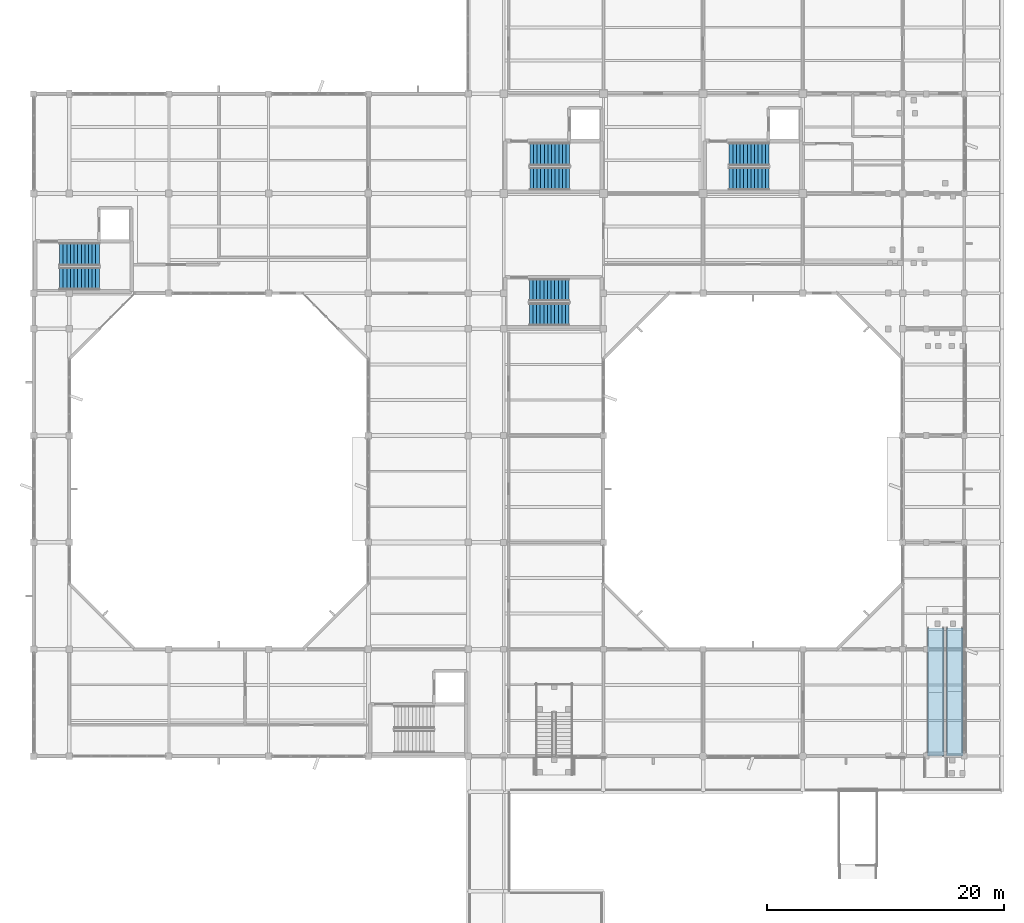
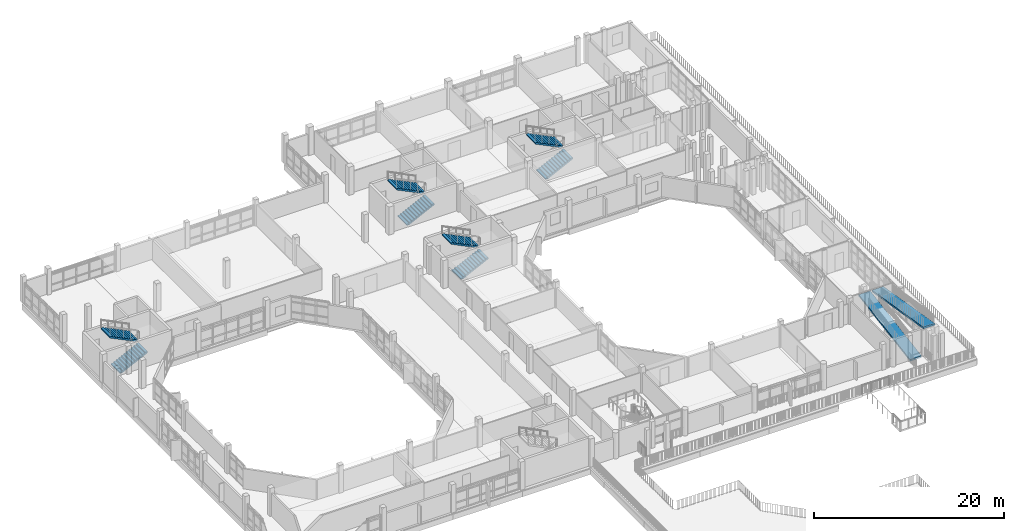
# One storey, part 35 of 51: 8 stair flights, 2 ramp flights, 5 elements without a shape of their own.
"""IFC4 building model written with IfcOpenShell, lengths in metres."""

import ifcopenshell
import ifcopenshell.guid

model = None  # the IFC model being written
_history = None  # IfcOwnerHistory: only IFC2X3 demands one
_inside = {}  # id of a spatial element -> (the spatial element, [elements in it])
_under = {}  # id of a project, library or spatial element -> (it, [spatial elements below it])
_declared = {}  # id of a project -> (the project, [libraries it declares])
_typed = {}  # id of a type object -> (the type object, [elements of that type])
_made_of = {}  # id of a material, layer set ... -> (it, [elements and type objects made of it])


def new_model(schema):
    """Start an empty IFC model of exactly this schema.

    Asked for "IFC4X3", IfcOpenShell would pick the latest addendum, in which some entities
    have other attributes; the version numbers below select the first issue.
    IFC2X3 requires an IfcOwnerHistory on every rooted entity: one is made here for all.
    """
    global model, _history
    if schema == "IFC4X3":
        model = ifcopenshell.file(schema_version=(4, 3, 0, 0))
    else:
        model = ifcopenshell.file(schema=schema)
    _inside.clear()
    _under.clear()
    _declared.clear()
    _typed.clear()
    _made_of.clear()
    _history = None
    if model.schema == "IFC2X3":
        org = make("IfcOrganization", Name="unknown")
        user = make(
            "IfcPersonAndOrganization",
            ThePerson=make("IfcPerson", FamilyName="unknown"),
            TheOrganization=org,
        )
        app = make(
            "IfcApplication",
            ApplicationDeveloper=org,
            Version="unknown",
            ApplicationFullName="unknown",
            ApplicationIdentifier="unknown",
        )
        _history = make(
            "IfcOwnerHistory",
            OwningUser=user,
            OwningApplication=app,
            ChangeAction="ADDED",
            CreationDate=0,
        )
    return model


def make(cls, **values):
    """One entity of the class cls with the attributes given. An attribute that is None is left unset."""
    return model.create_entity(
        cls, **{name: value for name, value in values.items() if value is not None}
    )


def rooted(cls, **values):
    """An entity with a GlobalId (a new one), such as an element, a storey or a relation."""
    return make(cls, GlobalId=ifcopenshell.guid.new(), OwnerHistory=_history, **values)


def si_unit(unit_type, name, prefix=None):
    """IfcSIUnit, for example si_unit("LENGTHUNIT", "METRE", prefix="MILLI")."""
    return make("IfcSIUnit", UnitType=unit_type, Prefix=prefix, Name=name)


def assignment(units):
    """IfcUnitAssignment: the units of a project."""
    return None if units is None else make("IfcUnitAssignment", Units=units)


def point(xyz):
    """IfcCartesianPoint."""
    return None if xyz is None else make("IfcCartesianPoint", Coordinates=xyz)


def direction(xyz):
    """IfcDirection."""
    return None if xyz is None else make("IfcDirection", DirectionRatios=xyz)


def frame(location, z_axis=None, x_axis=None):
    """IfcAxis2Placement3D, a coordinate frame: its origin and axes. An axis left out is left unset."""
    return make(
        "IfcAxis2Placement3D",
        Location=point(location),
        Axis=direction(z_axis),
        RefDirection=direction(x_axis),
    )


def origin():
    """The frame at (0, 0, 0) with its axes left unset."""
    return frame((0.0, 0.0, 0.0))


def place(relative_to, where):
    """IfcLocalPlacement: puts the frame where relative to a parent placement (None: the world)."""
    return make(
        "IfcLocalPlacement", PlacementRelTo=relative_to, RelativePlacement=where
    )


def context(
    kind, dimensions, precision=None, world=None, true_north=None, identifier=None
):
    """IfcGeometricRepresentationContext, for example the 3D "Model" context."""
    return make(
        "IfcGeometricRepresentationContext",
        ContextIdentifier=identifier,
        ContextType=kind,
        CoordinateSpaceDimension=dimensions,
        Precision=precision,
        WorldCoordinateSystem=world,
        TrueNorth=true_north,
    )


def subcontext(parent, identifier, kind, view, scale=None):
    """IfcGeometricRepresentationSubContext, for example "Body" below "Model"."""
    return make(
        "IfcGeometricRepresentationSubContext",
        ContextIdentifier=identifier,
        ContextType=kind,
        ParentContext=parent,
        TargetScale=scale,
        TargetView=view,
    )


def project(units=None, contexts=None):
    """IfcProject with its units and contexts."""
    return rooted(
        "IfcProject",
        Name="project",
        RepresentationContexts=contexts,
        UnitsInContext=assignment(units),
    )


def spatial(cls, under=None, at=None, **own):
    """A site, building, storey or space (cls), placed at a placement, below another one or the project."""
    s = rooted(cls, ObjectPlacement=at, **own)
    if under is not None:
        _under.setdefault(under.id(), (under, []))[1].append(s)
    return s


def polyline(points):
    """IfcPolyline through the points."""
    return make("IfcPolyline", Points=[point(p) for p in points])


def outline(outer, holes=None, kind="AREA"):
    """IfcArbitraryClosedProfileDef: a profile drawn as a closed curve; with holes, ...WithVoids."""
    if holes is None:
        return make("IfcArbitraryClosedProfileDef", ProfileType=kind, OuterCurve=outer)
    return make(
        "IfcArbitraryProfileDefWithVoids",
        ProfileType=kind,
        OuterCurve=outer,
        InnerCurves=holes,
    )


def extrude(swept, where, along, depth):
    """IfcExtrudedAreaSolid: the profile swept, set in the frame where, extruded along a direction by depth."""
    return make(
        "IfcExtrudedAreaSolid",
        SweptArea=swept,
        Position=where,
        ExtrudedDirection=direction(along),
        Depth=depth,
    )


def shape(context_of_items, identifier, shape_type, items):
    """IfcShapeRepresentation: the items that make up one representation, for example the "Body"."""
    return make(
        "IfcShapeRepresentation",
        ContextOfItems=context_of_items,
        RepresentationIdentifier=identifier,
        RepresentationType=shape_type,
        Items=items,
    )


def material(Name=None, Category=None):
    """IfcMaterial."""
    return make("IfcMaterial", Name=Name, Category=Category)


def layer(
    of_material, thickness, ventilated=None, Name=None, Category=None, Priority=None
):
    """IfcMaterialLayer: one layer of a wall or slab, of a material (None: an air gap)."""
    return make(
        "IfcMaterialLayer",
        Material=of_material,
        LayerThickness=thickness,
        IsVentilated=ventilated,
        Name=Name,
        Category=Category,
        Priority=Priority,
    )


def layer_set(layers, Name=None):
    """IfcMaterialLayerSet."""
    return make("IfcMaterialLayerSet", MaterialLayers=layers, LayerSetName=Name)


def made_of(thing, what):
    """Note that an element or type object is made of a material, layer set ...; save() writes the relation."""
    if what is not None:
        _made_of.setdefault(what.id(), (what, []))[1].append(thing)
    return thing


def type_object(cls, material=None, **own):
    """A type object (cls), such as IfcWallType, which elements share."""
    return made_of(rooted(cls, **own), material)


def element(
    cls,
    number,
    at=None,
    inside=None,
    cuts=None,
    type_object=None,
    material=None,
    context=None,
    identifier="Body",
    shape_type=None,
    held_by="IfcProductDefinitionShape",
    body=None,
    shapes=None,
    **own,
):
    """One element of the class cls, such as IfcWall. Its Tag is "e" and its number.

    at: its placement. inside: the storey or other place that contains it. cuts: it is an
    opening in that element (IfcRelVoidsElement). A single representation is given by context,
    identifier, shape_type and body (its items); several are given by shapes. held_by: the class
    of the entity that holds the representations. save() writes the other relations.
    """
    e = rooted(cls, Tag="e%d" % number, ObjectPlacement=at, **own)
    if body is not None:
        shapes = [shape(context, identifier, shape_type, body)]
    if shapes is not None:
        e.Representation = make(held_by, Representations=shapes)
    if inside is not None:
        _inside.setdefault(inside.id(), (inside, []))[1].append(e)
    if cuts is not None:
        rooted(
            "IfcRelVoidsElement", RelatingBuildingElement=cuts, RelatedOpeningElement=e
        )
    if type_object is not None:
        _typed.setdefault(type_object.id(), (type_object, []))[1].append(e)
    return made_of(e, material)


def aggregate(whole, parts):
    """IfcRelAggregates: a whole, such as a stair, and the parts it consists of."""
    return rooted("IfcRelAggregates", RelatingObject=whole, RelatedObjects=parts)


def save(model, path):
    """Write the relations noted so far, then the file.

    IfcRelAggregates (storeys below a building ...), IfcRelContainedInSpatialStructure (elements
    in a storey), IfcRelDefinesByType, IfcRelAssociatesMaterial and IfcRelDeclares: one each for
    every whole, place, type object, material and project.
    """
    for whole, parts in _under.values():
        aggregate(whole, parts)
    for where, things in _inside.values():
        rooted(
            "IfcRelContainedInSpatialStructure",
            RelatedElements=things,
            RelatingStructure=where,
        )
    for kind, things in _typed.values():
        rooted("IfcRelDefinesByType", RelatedObjects=things, RelatingType=kind)
    for what, things in _made_of.values():
        rooted("IfcRelAssociatesMaterial", RelatedObjects=things, RelatingMaterial=what)
    for by, libraries in _declared.values():
        rooted("IfcRelDeclares", RelatingContext=by, RelatedDefinitions=libraries)
    model.write(path)


model = new_model("IFC4")

# Units and contexts
model_context = context("Model", 3, precision=1e-05, world=origin(), true_north=direction((0.0, 1.0)))
body_context = subcontext(model_context, "Body", "Model", "MODEL_VIEW")
ifc_project = project(units=[si_unit("LENGTHUNIT", "METRE"), si_unit("AREAUNIT", "SQUARE_METRE"), si_unit("VOLUMEUNIT", "CUBIC_METRE"), si_unit("PLANEANGLEUNIT", "RADIAN"), si_unit("MASSUNIT", "GRAM", prefix="KILO")], contexts=[model_context])

# Site, building, storey
site_placement = place(None, origin())
site = spatial("IfcSite", under=ifc_project, at=site_placement, CompositionType="ELEMENT")
building_placement = place(site_placement, origin())
building = spatial("IfcBuilding", under=site, at=building_placement, Name="Vanh Quang Courtyard School", CompositionType="ELEMENT")
storey_placement = place(building_placement, frame((0.0, 0.0, 11.39990234375)))
storey = spatial("IfcBuildingStorey", under=building, at=storey_placement, Name="L03", CompositionType="ELEMENT", Elevation=11.39990234375)

# Stair, stair flights
ifc_material = material(Name="Concrete C30/37", Category="concrete")
stair_type_1 = type_object("IfcStairType", Name="STR-CORE-1880", PredefinedType="HALF_TURN_STAIR", material=ifc_material)
stair_1_placement = place(storey_placement, origin())
stair_1 = element("IfcStair", 1, at=stair_1_placement, inside=storey, type_object=stair_type_1, Name="L03 ST-05", PredefinedType="HALF_TURN_STAIR")
stair_flight_type_1 = type_object("IfcStairFlightType", Name="FLT-CORE-1880", PredefinedType="STRAIGHT", material=ifc_material)
stair_flight_1_placement = place(storey_placement, frame((79.56005859375, 69.6201171875, 0.0), z_axis=(0.0, 0.0, 1.0), x_axis=(1.0, 0.0, 0.0)))
stair_flight_1 = element("IfcStairFlight", 2, at=stair_flight_1_placement, type_object=stair_flight_type_1, Name="ST-05 flight 1", NumberOfRisers=12, NumberOfTreads=11, PredefinedType="STRAIGHT", RiserHeight=0.15, TreadLength=0.305, context=body_context, shape_type="SweptSolid", body=[
    extrude(outline(polyline([(0.0, 0.0), (0.0, 0.14990234375), (0.304931640625, 0.14990234375), (0.304931640625, 0.300048828125), (0.610107421875, 0.300048828125), (0.610107421875, 0.449951171875), (0.9150390625, 0.449951171875), (0.9150390625, 0.60009765625), (1.219970703125, 0.60009765625), (1.219970703125, 0.75), (1.52490234375, 0.75), (1.52490234375, 0.89990234375), (1.830078125, 0.89990234375), (1.830078125, 1.050048828125), (2.135009765625, 1.050048828125), (2.135009765625, 1.199951171875), (2.43994140625, 1.199951171875), (2.43994140625, 1.35009765625), (2.7451171875, 1.35009765625), (2.7451171875, 1.5), (3.050048828125, 1.5), (3.050048828125, 1.64990234375), (3.35498046875, 1.64990234375), (3.35498046875, 1.800048828125), (3.35498046875, 1.48291015625), (0.339599609375, 0.0), (0.0, 0.0)])), frame((0.0, 0.93994140625, 0.0), z_axis=(0.0, -1.0, 0.0), x_axis=(1.0, 0.0, 0.0)), (0.0, 0.0, 1.0), 1.8798828125),
])
stair_flight_2_placement = place(storey_placement, frame((82.9150390625, 71.659912109375, 1.800048828125), z_axis=(0.0, 0.0, 1.0), x_axis=(-1.0, 0.0, 0.0)))
stair_flight_2 = element("IfcStairFlight", 3, at=stair_flight_2_placement, type_object=stair_flight_type_1, Name="ST-05 flight 2", NumberOfRisers=12, NumberOfTreads=11, PredefinedType="STRAIGHT", RiserHeight=0.15, TreadLength=0.305, context=body_context, shape_type="SweptSolid", body=[
    extrude(outline(polyline([(0.0, 0.0), (0.0, 0.14990234375), (0.304931640625, 0.14990234375), (0.304931640625, 0.300048828125), (0.610107421875, 0.300048828125), (0.610107421875, 0.449951171875), (0.9150390625, 0.449951171875), (0.9150390625, 0.60009765625), (1.219970703125, 0.60009765625), (1.219970703125, 0.75), (1.52490234375, 0.75), (1.52490234375, 0.89990234375), (1.830078125, 0.89990234375), (1.830078125, 1.050048828125), (2.135009765625, 1.050048828125), (2.135009765625, 1.199951171875), (2.43994140625, 1.199951171875), (2.43994140625, 1.35009765625), (2.7451171875, 1.35009765625), (2.7451171875, 1.5), (3.050048828125, 1.5), (3.050048828125, 1.64990234375), (3.35498046875, 1.64990234375), (3.35498046875, 1.800048828125), (3.35498046875, 1.48291015625), (0.339599609375, 0.0), (0.0, 0.0)])), frame((0.0, 0.93994140625, 0.0), z_axis=(0.0, -1.0, 0.0), x_axis=(1.0, 0.0, 0.0)), (0.0, 0.0, 1.0), 1.8798828125),
])
aggregate(stair_1, [stair_flight_1, stair_flight_2])

stair_type_2 = type_object("IfcStairType", Name="STR-CORE-1900", PredefinedType="HALF_TURN_STAIR", material=ifc_material)
stair_2_placement = place(storey_placement, origin())
stair_2 = element("IfcStair", 4, at=stair_2_placement, inside=storey, type_object=stair_type_2, Name="L03 ST-03", PredefinedType="HALF_TURN_STAIR")
stair_flight_type_2 = type_object("IfcStairFlightType", Name="FLT-CORE-1900", PredefinedType="STRAIGHT", material=ifc_material)
stair_flight_3_placement = place(storey_placement, frame((39.97998046875, 72.6298828125, 0.0), z_axis=(0.0, 0.0, 1.0), x_axis=(1.0, 0.0, 0.0)))
stair_flight_3 = element("IfcStairFlight", 5, at=stair_flight_3_placement, type_object=stair_flight_type_2, Name="ST-03 flight 1", NumberOfRisers=12, NumberOfTreads=11, PredefinedType="STRAIGHT", RiserHeight=0.15, TreadLength=0.305, context=body_context, shape_type="SweptSolid", body=[
    extrude(outline(polyline([(0.0, 0.0), (0.0, 0.14990234375), (0.304931640625, 0.14990234375), (0.304931640625, 0.300048828125), (0.610107421875, 0.300048828125), (0.610107421875, 0.449951171875), (0.9150390625, 0.449951171875), (0.9150390625, 0.60009765625), (1.219970703125, 0.60009765625), (1.219970703125, 0.75), (1.52490234375, 0.75), (1.52490234375, 0.89990234375), (1.830078125, 0.89990234375), (1.830078125, 1.050048828125), (2.135009765625, 1.050048828125), (2.135009765625, 1.199951171875), (2.43994140625, 1.199951171875), (2.43994140625, 1.35009765625), (2.7451171875, 1.35009765625), (2.7451171875, 1.5), (3.050048828125, 1.5), (3.050048828125, 1.64990234375), (3.35498046875, 1.64990234375), (3.35498046875, 1.800048828125), (3.35498046875, 1.48291015625), (0.339599609375, 0.0), (0.0, 0.0)])), frame((0.0, 0.949951171875, 0.0), z_axis=(0.0, -1.0, 0.0), x_axis=(1.0, 0.0, 0.0)), (0.0, 0.0, 1.0), 1.89990234375),
])
stair_flight_4_placement = place(storey_placement, frame((43.3349609375, 74.68994140625, 1.800048828125), z_axis=(0.0, 0.0, 1.0), x_axis=(-1.0, 0.0, 0.0)))
stair_flight_4 = element("IfcStairFlight", 6, at=stair_flight_4_placement, type_object=stair_flight_type_2, Name="ST-03 flight 2", NumberOfRisers=12, NumberOfTreads=11, PredefinedType="STRAIGHT", RiserHeight=0.15, TreadLength=0.305, context=body_context, shape_type="SweptSolid", body=[
    extrude(outline(polyline([(0.0, 0.0), (0.0, 0.14990234375), (0.304931640625, 0.14990234375), (0.304931640625, 0.300048828125), (0.610107421875, 0.300048828125), (0.610107421875, 0.449951171875), (0.9150390625, 0.449951171875), (0.9150390625, 0.60009765625), (1.219970703125, 0.60009765625), (1.219970703125, 0.75), (1.52490234375, 0.75), (1.52490234375, 0.89990234375), (1.830078125, 0.89990234375), (1.830078125, 1.050048828125), (2.135009765625, 1.050048828125), (2.135009765625, 1.199951171875), (2.43994140625, 1.199951171875), (2.43994140625, 1.35009765625), (2.7451171875, 1.35009765625), (2.7451171875, 1.5), (3.050048828125, 1.5), (3.050048828125, 1.64990234375), (3.35498046875, 1.64990234375), (3.35498046875, 1.800048828125), (3.35498046875, 1.48291015625), (0.339599609375, 0.0), (0.0, 0.0)])), frame((0.0, 0.949951171875, 0.0), z_axis=(0.0, -1.0, 0.0), x_axis=(1.0, 0.0, 0.0)), (0.0, 0.0, 1.0), 1.89990234375),
])
aggregate(stair_2, [stair_flight_3, stair_flight_4])

stair_type_3 = type_object("IfcStairType", Name="STR-CORE-1920", PredefinedType="HALF_TURN_STAIR", material=ifc_material)
stair_3_placement = place(storey_placement, origin())
stair_3 = element("IfcStair", 7, at=stair_3_placement, inside=storey, type_object=stair_type_3, Name="L03 ST-01", PredefinedType="HALF_TURN_STAIR")
stair_flight_type_3 = type_object("IfcStairFlightType", Name="FLT-CORE-1920", PredefinedType="STRAIGHT", material=ifc_material)
stair_flight_5_placement = place(storey_placement, frame((79.60009765625, 81.0400390625, 0.0), z_axis=(0.0, 0.0, 1.0), x_axis=(1.0, 0.0, 0.0)))
stair_flight_5 = element("IfcStairFlight", 8, at=stair_flight_5_placement, type_object=stair_flight_type_3, Name="ST-01 flight 1", NumberOfRisers=12, NumberOfTreads=11, PredefinedType="STRAIGHT", RiserHeight=0.15, TreadLength=0.305, context=body_context, shape_type="SweptSolid", body=[
    extrude(outline(polyline([(0.0, 0.0), (0.0, 0.14990234375), (0.304931640625, 0.14990234375), (0.304931640625, 0.300048828125), (0.610107421875, 0.300048828125), (0.610107421875, 0.449951171875), (0.9150390625, 0.449951171875), (0.9150390625, 0.60009765625), (1.219970703125, 0.60009765625), (1.219970703125, 0.75), (1.52490234375, 0.75), (1.52490234375, 0.89990234375), (1.830078125, 0.89990234375), (1.830078125, 1.050048828125), (2.135009765625, 1.050048828125), (2.135009765625, 1.199951171875), (2.43994140625, 1.199951171875), (2.43994140625, 1.35009765625), (2.7451171875, 1.35009765625), (2.7451171875, 1.5), (3.050048828125, 1.5), (3.050048828125, 1.64990234375), (3.35498046875, 1.64990234375), (3.35498046875, 1.800048828125), (3.35498046875, 1.48291015625), (0.339599609375, 0.0), (0.0, 0.0)])), frame((0.0, 0.9599609375, 0.0), z_axis=(0.0, -1.0, 0.0), x_axis=(1.0, 0.0, 0.0)), (0.0, 0.0, 1.0), 1.919921875),
])
stair_flight_6_placement = place(storey_placement, frame((82.955078125, 83.1201171875, 1.800048828125), z_axis=(0.0, 0.0, 1.0), x_axis=(-1.0, 0.0, 0.0)))
stair_flight_6 = element("IfcStairFlight", 9, at=stair_flight_6_placement, type_object=stair_flight_type_3, Name="ST-01 flight 2", NumberOfRisers=12, NumberOfTreads=11, PredefinedType="STRAIGHT", RiserHeight=0.15, TreadLength=0.305, context=body_context, shape_type="SweptSolid", body=[
    extrude(outline(polyline([(0.0, 0.0), (0.0, 0.14990234375), (0.304931640625, 0.14990234375), (0.304931640625, 0.300048828125), (0.610107421875, 0.300048828125), (0.610107421875, 0.449951171875), (0.9150390625, 0.449951171875), (0.9150390625, 0.60009765625), (1.219970703125, 0.60009765625), (1.219970703125, 0.75), (1.52490234375, 0.75), (1.52490234375, 0.89990234375), (1.830078125, 0.89990234375), (1.830078125, 1.050048828125), (2.135009765625, 1.050048828125), (2.135009765625, 1.199951171875), (2.43994140625, 1.199951171875), (2.43994140625, 1.35009765625), (2.7451171875, 1.35009765625), (2.7451171875, 1.5), (3.050048828125, 1.5), (3.050048828125, 1.64990234375), (3.35498046875, 1.64990234375), (3.35498046875, 1.800048828125), (3.35498046875, 1.48291015625), (0.339599609375, 0.0), (0.0, 0.0)])), frame((0.0, 0.9599609375, 0.0), z_axis=(0.0, -1.0, 0.0), x_axis=(1.0, 0.0, 0.0)), (0.0, 0.0, 1.0), 1.919921875),
])
aggregate(stair_3, [stair_flight_5, stair_flight_6])

stair_4_placement = place(storey_placement, origin())
stair_4 = element("IfcStair", 10, at=stair_4_placement, inside=storey, type_object=stair_type_3, Name="L03 ST-02", PredefinedType="HALF_TURN_STAIR")
stair_flight_7_placement = place(storey_placement, frame((96.39990234375, 81.0400390625, 0.0), z_axis=(0.0, 0.0, 1.0), x_axis=(1.0, 0.0, 0.0)))
stair_flight_7 = element("IfcStairFlight", 11, at=stair_flight_7_placement, type_object=stair_flight_type_3, Name="ST-02 flight 1", NumberOfRisers=12, NumberOfTreads=11, PredefinedType="STRAIGHT", RiserHeight=0.15, TreadLength=0.305, context=body_context, shape_type="SweptSolid", body=[
    extrude(outline(polyline([(0.0, 0.0), (0.0, 0.14990234375), (0.304931640625, 0.14990234375), (0.304931640625, 0.300048828125), (0.610107421875, 0.300048828125), (0.610107421875, 0.449951171875), (0.9150390625, 0.449951171875), (0.9150390625, 0.60009765625), (1.219970703125, 0.60009765625), (1.219970703125, 0.75), (1.52490234375, 0.75), (1.52490234375, 0.89990234375), (1.830078125, 0.89990234375), (1.830078125, 1.050048828125), (2.135009765625, 1.050048828125), (2.135009765625, 1.199951171875), (2.43994140625, 1.199951171875), (2.43994140625, 1.35009765625), (2.7451171875, 1.35009765625), (2.7451171875, 1.5), (3.050048828125, 1.5), (3.050048828125, 1.64990234375), (3.35498046875, 1.64990234375), (3.35498046875, 1.800048828125), (3.35498046875, 1.48291015625), (0.339599609375, 0.0), (0.0, 0.0)])), frame((0.0, 0.9599609375, 0.0), z_axis=(0.0, -1.0, 0.0), x_axis=(1.0, 0.0, 0.0)), (0.0, 0.0, 1.0), 1.919921875),
])
stair_flight_8_placement = place(storey_placement, frame((99.7548828125, 83.1201171875, 1.800048828125), z_axis=(0.0, 0.0, 1.0), x_axis=(-1.0, 0.0, 0.0)))
stair_flight_8 = element("IfcStairFlight", 12, at=stair_flight_8_placement, type_object=stair_flight_type_3, Name="ST-02 flight 2", NumberOfRisers=12, NumberOfTreads=11, PredefinedType="STRAIGHT", RiserHeight=0.15, TreadLength=0.305, context=body_context, shape_type="SweptSolid", body=[
    extrude(outline(polyline([(0.0, 0.0), (0.0, 0.14990234375), (0.304931640625, 0.14990234375), (0.304931640625, 0.300048828125), (0.610107421875, 0.300048828125), (0.610107421875, 0.449951171875), (0.9150390625, 0.449951171875), (0.9150390625, 0.60009765625), (1.219970703125, 0.60009765625), (1.219970703125, 0.75), (1.52490234375, 0.75), (1.52490234375, 0.89990234375), (1.830078125, 0.89990234375), (1.830078125, 1.050048828125), (2.135009765625, 1.050048828125), (2.135009765625, 1.199951171875), (2.43994140625, 1.199951171875), (2.43994140625, 1.35009765625), (2.7451171875, 1.35009765625), (2.7451171875, 1.5), (3.050048828125, 1.5), (3.050048828125, 1.64990234375), (3.35498046875, 1.64990234375), (3.35498046875, 1.800048828125), (3.35498046875, 1.48291015625), (0.339599609375, 0.0), (0.0, 0.0)])), frame((0.0, 0.9599609375, 0.0), z_axis=(0.0, -1.0, 0.0), x_axis=(1.0, 0.0, 0.0)), (0.0, 0.0, 1.0), 1.919921875),
])
aggregate(stair_4, [stair_flight_7, stair_flight_8])

# Ramp, ramp flights
ramp_type = type_object("IfcRampType", Name="RAMP-ACC-1400", PredefinedType="TWO_STRAIGHT_RUN_RAMP", material=ifc_material)
ramp_placement = place(storey_placement, origin())
ramp = element("IfcRamp", 13, at=ramp_placement, inside=storey, type_object=ramp_type, Name="Ramp RMP-04 (L03)", PredefinedType="TWO_STRAIGHT_RUN_RAMP")
ifc_layer = layer(ifc_material, 0.219970703125)
ifc_layer_set = layer_set([ifc_layer], Name="Concrete C30/37")
ramp_flight_type = type_object("IfcRampFlightType", Name="RAMP-FLT-1400", PredefinedType="STRAIGHT", material=ifc_layer_set)
ramp_flight_1_placement = place(storey_placement, frame((113.800048828125, 32.39990234375, 0.0), z_axis=(0.0, 0.0, 1.0), x_axis=(0.0, 1.0, 0.0)))
ramp_flight_1 = element("IfcRampFlight", 14, at=ramp_flight_1_placement, type_object=ramp_flight_type, Name="Ramp Flight RF-01 (L03)", PredefinedType="STRAIGHT", context=body_context, shape_type="SweptSolid", body=[
    extrude(outline(polyline([(0.0, 0.0), (10.800048828125, 1.800048828125), (10.800048828125, 1.580078125), (0.0, -0.219970703125), (0.0, 0.0)])), frame((0.0, 0.699951171875, 0.0), z_axis=(0.0, -1.0, 0.0), x_axis=(1.0, 0.0, 0.0)), (0.0, 0.0, 1.0), 1.39990234375),
])
ramp_flight_2_placement = place(storey_placement, frame((115.39990234375, 43.199951171875, 1.800048828125), z_axis=(0.0, 0.0, 1.0), x_axis=(0.0, -1.0, 0.0)))
ramp_flight_2 = element("IfcRampFlight", 15, at=ramp_flight_2_placement, type_object=ramp_flight_type, Name="Ramp Flight RF-01 (L03)", PredefinedType="STRAIGHT", context=body_context, shape_type="SweptSolid", body=[
    extrude(outline(polyline([(0.0, 0.0), (10.800048828125, 1.800048828125), (10.800048828125, 1.580078125), (0.0, -0.219970703125), (0.0, 0.0)])), frame((0.0, 0.699951171875, 0.0), z_axis=(0.0, -1.0, 0.0), x_axis=(1.0, 0.0, 0.0)), (0.0, 0.0, 1.0), 1.39990234375),
])
aggregate(ramp, [ramp_flight_1, ramp_flight_2])

save(model, "model.ifc")
